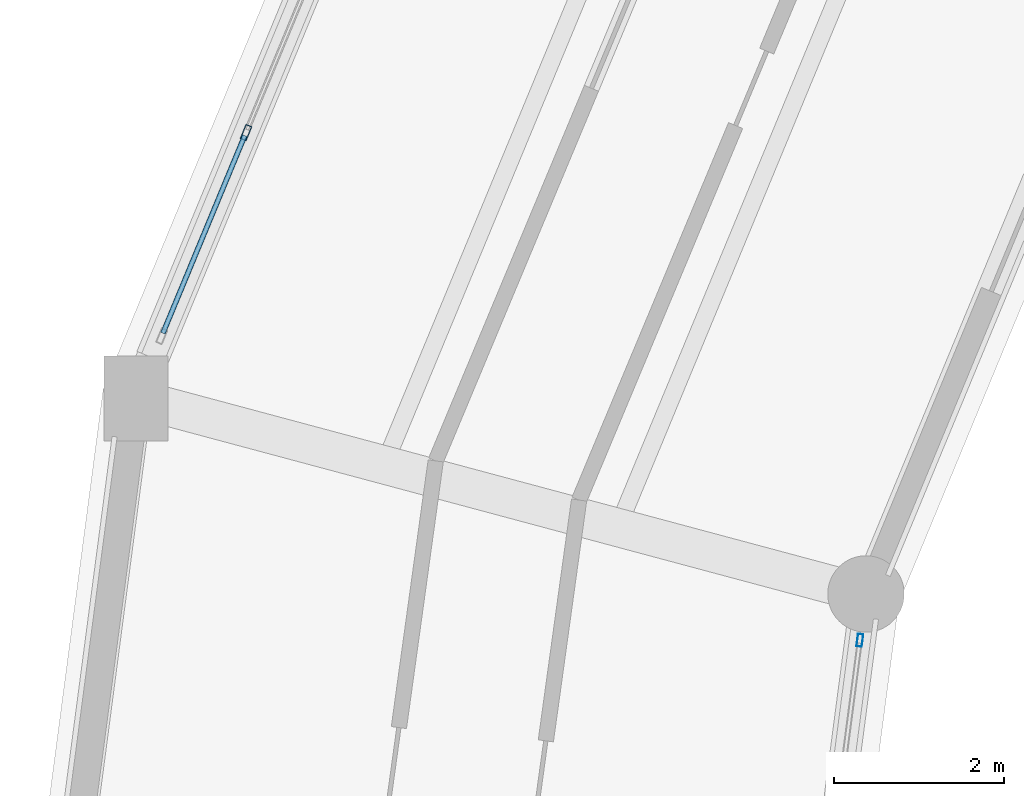
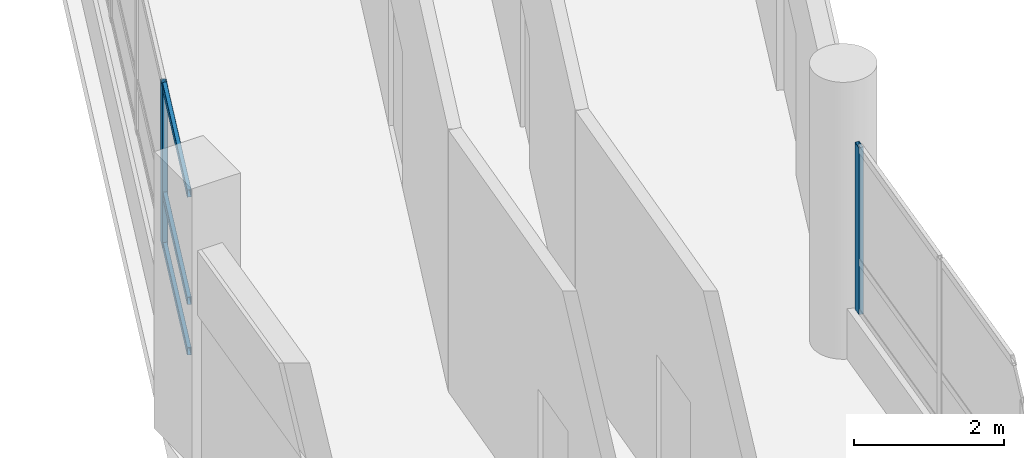
# One storey, part 46 of 129: 5 members, 2 elements without a shape of their own.
"""IFC4 building model written with IfcOpenShell, lengths in metres."""

from ifc_helpers import new_model, si_unit, direction, frame, origin, origin_2d, place, context, subcontext, project, spatial, hollow_rectangle, extrude, material, layer, layer_set, material_profile, profile_set, type_object, element, aggregate, save


model = new_model("IFC4")

# Units and contexts
model_context = context("Model", 3, precision=1e-05, world=origin(), true_north=direction((0.0, 1.0)))
body_context = subcontext(model_context, "Body", "Model", "MODEL_VIEW")
ifc_project = project(units=[si_unit("LENGTHUNIT", "METRE"), si_unit("AREAUNIT", "SQUARE_METRE"), si_unit("VOLUMEUNIT", "CUBIC_METRE"), si_unit("PLANEANGLEUNIT", "RADIAN"), si_unit("MASSUNIT", "GRAM", prefix="KILO")], contexts=[model_context])

# Site, building, storey
site_placement = place(None, origin())
site = spatial("IfcSite", under=ifc_project, at=site_placement, CompositionType="ELEMENT")
building_placement = place(site_placement, origin())
building = spatial("IfcBuilding", under=site, at=building_placement, Name="Vespera Passage Community Centre", CompositionType="ELEMENT")
storey_placement = place(building_placement, origin())
storey = spatial("IfcBuildingStorey", under=building, at=storey_placement, Name="L00", CompositionType="ELEMENT", Elevation=0.0)

# Curtain wall, member
ifc_material_1 = material(Name="Anodized aluminium 6063-T6", Category="aluminium")
ifc_layer_1 = layer(ifc_material_1, 0.159912109375)
ifc_layer_set_1 = layer_set([ifc_layer_1], Name="Anodized aluminium 6063-T6")
curtain_wall_type_1 = type_object("IfcCurtainWallType", Name="CW-09E", PredefinedType="NOTDEFINED", material=ifc_layer_set_1)
curtain_wall_1_placement = place(storey_placement, origin())
curtain_wall_1 = element("IfcCurtainWall", 1, at=curtain_wall_1_placement, inside=storey, type_object=curtain_wall_type_1, Name="V4 L00 Inner Court Curtain Wall 11", PredefinedType="NOTDEFINED")
ifc_material_2 = material(Name="Anodized aluminium 6063-T6", Category="aluminium")
ifc_material_profile_1 = material_profile(ifc_material_2, hollow_rectangle(XDim=0.06494140625, YDim=0.14990234375, WallThickness=0.00390625, InnerFilletRadius=0.001953125, OuterFilletRadius=0.00390625, at=origin_2d()), Name="ALU150X65X4")
ifc_profile_set_1 = profile_set([ifc_material_profile_1], Name="Anodized aluminium 6063-T6")
member_type_1 = type_object("IfcMemberType", Name="MB-CWM-150E", PredefinedType="MULLION", material=ifc_profile_set_1)
member_1_placement = place(storey_placement, frame((41.995849609375, 74.582763671875, 0.820068359375), z_axis=(0.0, 0.0, 1.0), x_axis=(0.991445387728, -0.1305221941, 0.0)))
member_1 = element("IfcMember", 2, at=member_1_placement, type_object=member_type_1, Name="CW-09E mullion 1", PredefinedType="MULLION", context=body_context, shape_type="SweptSolid", body=[
    extrude(hollow_rectangle(XDim=0.06494140625, YDim=0.14990234375, WallThickness=0.00390625, InnerFilletRadius=0.001953125, OuterFilletRadius=0.00390625, at=origin_2d()), origin(), (0.0, 0.0, 1.0), 2.709228515625),
])
aggregate(curtain_wall_1, [member_1])

# Curtain wall, members
ifc_material_3 = material(Name="Anodized aluminium 6063-T6", Category="aluminium")
ifc_layer_2 = layer(ifc_material_3, 0.159912109375)
ifc_layer_set_2 = layer_set([ifc_layer_2], Name="Anodized aluminium 6063-T6")
curtain_wall_type_2 = type_object("IfcCurtainWallType", Name="CW-08E", PredefinedType="NOTDEFINED", material=ifc_layer_set_2)
curtain_wall_2_placement = place(storey_placement, origin())
curtain_wall_2 = element("IfcCurtainWall", 3, at=curtain_wall_2_placement, inside=storey, type_object=curtain_wall_type_2, Name="V4 L00 Outer Ribbon Curtain Wall 10", PredefinedType="NOTDEFINED")
ifc_material_4 = material(Name="Anodized aluminium 6063-T6", Category="aluminium")
ifc_material_profile_2 = material_profile(ifc_material_4, hollow_rectangle(XDim=0.074951171875, YDim=0.179931640625, WallThickness=0.0048828125, InnerFilletRadius=0.00244140625, OuterFilletRadius=0.0048828125, at=origin_2d()), Name="ALU180X75X5")
ifc_profile_set_2 = profile_set([ifc_material_profile_2], Name="Anodized aluminium 6063-T6")
member_type_2 = type_object("IfcMemberType", Name="MB-CWM-180E", PredefinedType="MULLION", material=ifc_profile_set_2)
member_2_placement = place(storey_placement, frame((34.766845703125, 80.560546875, 0.820068359375), z_axis=(0.0, 0.0, 1.0), x_axis=(-0.923881309405, 0.382679142535, 0.0)))
member_2 = element("IfcMember", 4, at=member_2_placement, type_object=member_type_2, Name="CW-08E mullion 2", PredefinedType="MULLION", context=body_context, shape_type="SweptSolid", body=[
    extrude(hollow_rectangle(XDim=0.074951171875, YDim=0.179931640625, WallThickness=0.0048828125, InnerFilletRadius=0.00244140625, OuterFilletRadius=0.0048828125, at=origin_2d()), origin(), (0.0, 0.0, 1.0), 2.62548828125),
])
ifc_material_5 = material(Name="Anodized aluminium 6063-T6", Category="aluminium")
ifc_material_profile_3 = material_profile(ifc_material_5, hollow_rectangle(XDim=0.06005859375, YDim=0.1201171875, WallThickness=0.00390625, InnerFilletRadius=0.001953125, OuterFilletRadius=0.00390625, at=origin_2d()), Name="ALU120X60X4")
ifc_profile_set_3 = profile_set([ifc_material_profile_3], Name="Anodized aluminium 6063-T6")
member_type_3 = type_object("IfcMemberType", Name="MB-CWT-120E", PredefinedType="USERDEFINED", material=ifc_profile_set_3)
member_3_placement = place(storey_placement, frame((33.788818359375, 78.199462890625, 0.85009765625), z_axis=(0.3826800364, 0.923880939159, 0.0), x_axis=(-0.923880939159, 0.3826800364, 0.0)))
member_3 = element("IfcMember", 5, at=member_3_placement, type_object=member_type_3, Name="CW-08E transom 1.1", ObjectType="TRANSOM", PredefinedType="USERDEFINED", context=body_context, shape_type="SweptSolid", body=[
    extrude(hollow_rectangle(XDim=0.06005859375, YDim=0.1201171875, WallThickness=0.00390625, InnerFilletRadius=0.001953125, OuterFilletRadius=0.00390625, at=origin_2d()), origin(), (0.0, 0.0, 1.0), 2.51806640625),
])
member_4_placement = place(storey_placement, frame((33.788818359375, 78.199462890625, 1.669921875), z_axis=(0.3826800364, 0.923880939159, 0.0), x_axis=(-0.923880939159, 0.3826800364, 0.0)))
member_4 = element("IfcMember", 6, at=member_4_placement, type_object=member_type_3, Name="CW-08E transom 1.2", ObjectType="TRANSOM", PredefinedType="USERDEFINED", context=body_context, shape_type="SweptSolid", body=[
    extrude(hollow_rectangle(XDim=0.06005859375, YDim=0.1201171875, WallThickness=0.00390625, InnerFilletRadius=0.001953125, OuterFilletRadius=0.00390625, at=origin_2d()), origin(), (0.0, 0.0, 1.0), 2.51806640625),
])
member_5_placement = place(storey_placement, frame((33.788818359375, 78.199462890625, 3.41552734375), z_axis=(0.3826800364, 0.923880939159, 0.0), x_axis=(-0.923880939159, 0.3826800364, 0.0)))
member_5 = element("IfcMember", 7, at=member_5_placement, type_object=member_type_3, Name="CW-08E transom 1.3", ObjectType="TRANSOM", PredefinedType="USERDEFINED", context=body_context, shape_type="SweptSolid", body=[
    extrude(hollow_rectangle(XDim=0.06005859375, YDim=0.1201171875, WallThickness=0.00390625, InnerFilletRadius=0.001953125, OuterFilletRadius=0.00390625, at=origin_2d()), origin(), (0.0, 0.0, 1.0), 2.51806640625),
])
aggregate(curtain_wall_2, [member_2, member_3, member_4, member_5])

save(model, "model.ifc")
